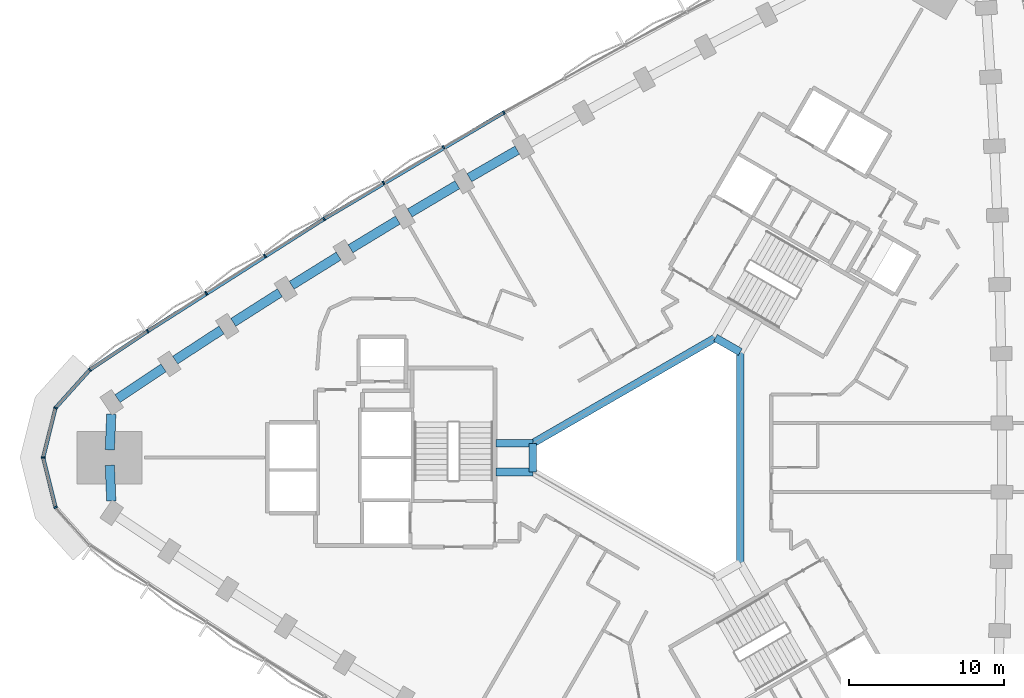
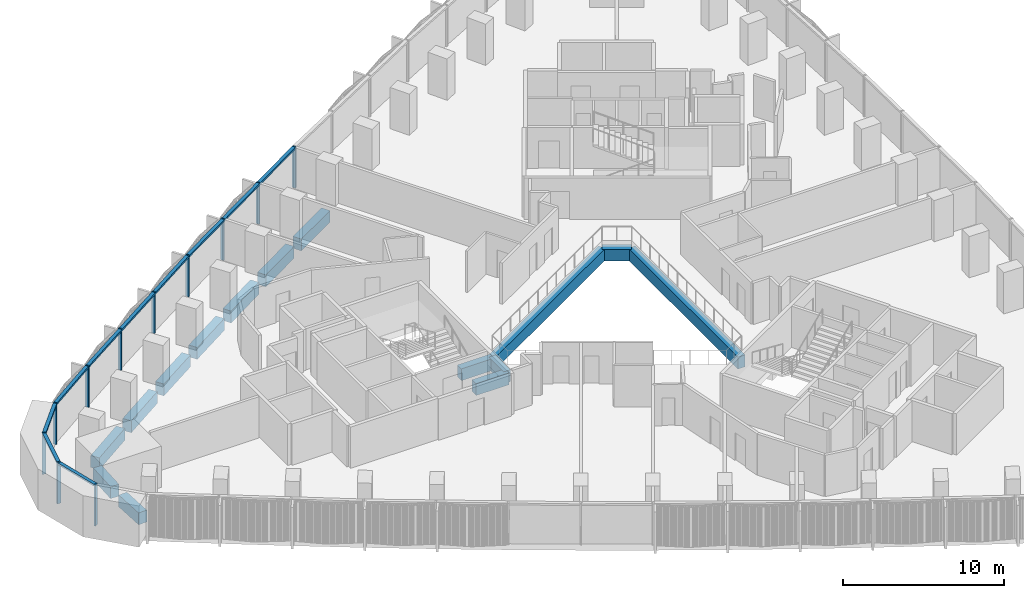
# One storey, part 4 of 15: 17 members, 15 beams, 1 element without a shape of its own.
"""IFC4 building model written with IfcOpenShell, lengths in metres."""

from ifc_helpers import new_model, si_unit, direction, frame, origin, origin_2d, place, context, subcontext, project, spatial, rectangle, extrude, material, material_profile, profile_set, type_object, element, aggregate, save


model = new_model("IFC4")

# Units and contexts
model_context = context("Model", 3, precision=1e-05, world=origin(), true_north=direction((0.0, 1.0)))
body_context = subcontext(model_context, "Body", "Model", "MODEL_VIEW")
ifc_project = project(units=[si_unit("LENGTHUNIT", "METRE"), si_unit("AREAUNIT", "SQUARE_METRE"), si_unit("VOLUMEUNIT", "CUBIC_METRE"), si_unit("PLANEANGLEUNIT", "RADIAN"), si_unit("MASSUNIT", "GRAM", prefix="KILO")], contexts=[model_context])

# Site, building, storey
site_placement = place(None, origin())
site = spatial("IfcSite", under=ifc_project, at=site_placement, CompositionType="ELEMENT")
building_placement = place(site_placement, origin())
building = spatial("IfcBuilding", under=site, at=building_placement, Name="Tamra Quay Hotel Tower", CompositionType="ELEMENT")
storey_placement = place(building_placement, frame((0.0, 0.0, 53.0)))
storey = spatial("IfcBuildingStorey", under=building, at=storey_placement, Name="L11", CompositionType="ELEMENT", Elevation=53.0)

# Beams
ifc_material_1 = material(Name="Concrete M60", Category="concrete")
ifc_material_profile_1 = material_profile(ifc_material_1, rectangle(XDim=0.5, YDim=0.89990234375, at=origin_2d()), Name="ATRIUM EDGE BEAM RC 500x900")
ifc_profile_set_1 = profile_set([ifc_material_profile_1], Name="Concrete M60")
beam_type_1 = type_object("IfcBeamType", Name="ATRIUM EDGE BEAM RC 500x900", PredefinedType="BEAM", material=ifc_profile_set_1)
beam_1_placement = place(storey_placement, frame((5.0, 6.812744140625, -0.925048828125), z_axis=(0.0, -1.0, 0.0), x_axis=(1.0, 0.0, 0.0)))
element("IfcBeam", 1, at=beam_1_placement, inside=storey, type_object=beam_type_1, Name="BM-AB0-L11", PredefinedType="BEAM", context=body_context, shape_type="SweptSolid", body=[
    extrude(rectangle(XDim=0.5, YDim=0.89990234375, at=origin_2d()), origin(), (0.0, 0.0, 1.0), 13.62548828125),
])
beam_2_placement = place(storey_placement, frame((-8.39990234375, -0.923828125, -0.925048828125), z_axis=(0.0, 1.0, 0.0), x_axis=(-1.0, 0.0, 0.0)))
element("IfcBeam", 2, at=beam_2_placement, inside=storey, type_object=beam_type_1, Name="BM-AB3-L11", PredefinedType="BEAM", context=body_context, shape_type="SweptSolid", body=[
    extrude(rectangle(XDim=0.5, YDim=0.89990234375, at=origin_2d()), origin(), (0.0, 0.0, 1.0), 1.84765625),
])
beam_3_placement = place(storey_placement, frame((-8.39990234375, 0.923828125, -0.925048828125), z_axis=(0.866021471679, 0.500006810544, 0.0), x_axis=(-0.500006810544, 0.866021471679, 0.0)))
element("IfcBeam", 3, at=beam_3_placement, inside=storey, type_object=beam_type_1, Name="BM-AB4-L11", PredefinedType="BEAM", context=body_context, shape_type="SweptSolid", body=[
    extrude(rectangle(XDim=0.5, YDim=0.89990234375, at=origin_2d()), origin(), (0.0, 0.0, 1.0), 13.625244140625),
])
beam_4_placement = place(storey_placement, frame((3.39990234375, 7.736572265625, -0.925048828125), z_axis=(0.86602275259, -0.500004591975, 0.0), x_axis=(0.500004591975, 0.86602275259, 0.0)))
element("IfcBeam", 4, at=beam_4_placement, inside=storey, type_object=beam_type_1, Name="BM-AB5-L11", PredefinedType="BEAM", context=body_context, shape_type="SweptSolid", body=[
    extrude(rectangle(XDim=0.5, YDim=0.89990234375, at=origin_2d()), origin(), (0.0, 0.0, 1.0), 1.84765625),
])
ifc_material_profile_2 = material_profile(ifc_material_1, rectangle(XDim=0.5, YDim=0.89990234375, at=origin_2d()), Name="ATRIUM TIE BEAM RC 500x900")
ifc_profile_set_2 = profile_set([ifc_material_profile_2], Name="Concrete M60")
beam_type_2 = type_object("IfcBeamType", Name="ATRIUM TIE BEAM RC 500x900", PredefinedType="BEAM", material=ifc_profile_set_2)
for number, where, z_axis, x_axis, name in (
    (5, (-8.39990234375, -0.923828125, -0.925048828125), (-1.0, 0.0, 0.0), (0.0, -1.0, 0.0), "BM-TIE-3-L11"),
    (6, (-8.39990234375, 0.923828125, -0.925048828125), (-1.0, 0.0, 0.0), (0.0, -1.0, 0.0), "BM-TIE-4-L11"),
):
    element("IfcBeam", number, at=place(storey_placement, frame(where, z_axis=z_axis, x_axis=x_axis)), inside=storey, type_object=beam_type_2, Name=name, PredefinedType="BEAM", context=body_context, shape_type="SweptSolid", body=[
        extrude(rectangle(XDim=0.5, YDim=0.89990234375, at=origin_2d()), origin(), (0.0, 0.0, 1.0), 2.3623046875),
    ])

# Curtain wall, members
ifc_material_2 = material(Name="Aluminium 6063 anodised dark grey", Category="aluminium")
curtain_wall_type = type_object("IfcCurtainWallType", Name="CW2 CURTAIN WALL", PredefinedType="NOTDEFINED", material=ifc_material_2)
curtain_wall_placement = place(storey_placement, origin())
curtain_wall = element("IfcCurtainWall", 7, at=curtain_wall_placement, inside=storey, type_object=curtain_wall_type, Name="CW2 north-west face L11", PredefinedType="NOTDEFINED")
ifc_material_profile_3 = material_profile(ifc_material_2, rectangle(XDim=0.239990234375, YDim=0.10009765625, at=origin_2d()), Name="MULLION 100X240")
ifc_profile_set_3 = profile_set([ifc_material_profile_3], Name="Aluminium 6063 anodised dark grey")
member_type_1 = type_object("IfcMemberType", Name="MULLION CW2 Z1", PredefinedType="MULLION", material=ifc_profile_set_3)
member_1_placement = place(storey_placement, frame((-10.267578125, 22.281494140625, 0.0), z_axis=(0.0, 0.0, 1.0), x_axis=(-0.495300542226, 0.868721688961, 0.0)))
member_1 = element("IfcMember", 8, at=member_1_placement, type_object=member_type_1, Name="CW2 mullion L11.NW.7", PredefinedType="MULLION", context=body_context, shape_type="SweptSolid", body=[
    extrude(rectangle(XDim=0.239990234375, YDim=0.10009765625, at=origin_2d()), origin(), (0.0, 0.0, 1.0), 3.125),
])
member_2_placement = place(storey_placement, frame((-14.162353515625, 20.03271484375, 0.0), z_axis=(0.0, 0.0, 1.0), x_axis=(-0.504684780346, 0.863303696556, 0.0)))
member_2 = element("IfcMember", 9, at=member_2_placement, type_object=member_type_1, Name="CW2 mullion L11.NW.8", PredefinedType="MULLION", context=body_context, shape_type="SweptSolid", body=[
    extrude(rectangle(XDim=0.239990234375, YDim=0.10009765625, at=origin_2d()), origin(), (0.0, 0.0, 1.0), 3.125),
])
member_3_placement = place(storey_placement, frame((-18.03271484375, 17.741943359375, 0.0), z_axis=(0.0, 0.0, 1.0), x_axis=(-0.514004208519, 0.857787662318, 0.0)))
member_3 = element("IfcMember", 10, at=member_3_placement, type_object=member_type_1, Name="CW2 mullion L11.NW.9", PredefinedType="MULLION", context=body_context, shape_type="SweptSolid", body=[
    extrude(rectangle(XDim=0.239990234375, YDim=0.10009765625, at=origin_2d()), origin(), (0.0, 0.0, 1.0), 3.125),
])
member_4_placement = place(storey_placement, frame((-21.879150390625, 15.40869140625, 0.0), z_axis=(0.0, 0.0, 1.0), x_axis=(-0.523257107809, 0.852174864173, 0.0)))
member_4 = element("IfcMember", 11, at=member_4_placement, type_object=member_type_1, Name="CW2 mullion L11.NW.10", PredefinedType="MULLION", context=body_context, shape_type="SweptSolid", body=[
    extrude(rectangle(XDim=0.239990234375, YDim=0.10009765625, at=origin_2d()), origin(), (0.0, 0.0, 1.0), 3.125),
])
member_5_placement = place(storey_placement, frame((-25.698974609375, 13.03466796875, 0.0), z_axis=(0.0, 0.0, 1.0), x_axis=(-0.532446769932, 0.846463488397, 0.0)))
member_5 = element("IfcMember", 12, at=member_5_placement, type_object=member_type_1, Name="CW2 mullion L11.NW.11", PredefinedType="MULLION", context=body_context, shape_type="SweptSolid", body=[
    extrude(rectangle(XDim=0.239990234375, YDim=0.10009765625, at=origin_2d()), origin(), (0.0, 0.0, 1.0), 3.125),
])
member_6_placement = place(storey_placement, frame((-29.49267578125, 10.61962890625, 0.0), z_axis=(0.0, 0.0, 1.0), x_axis=(-0.541560699791, 0.840661649204, 0.0)))
member_6 = element("IfcMember", 13, at=member_6_placement, type_object=member_type_1, Name="CW2 mullion L11.NW.12", PredefinedType="MULLION", context=body_context, shape_type="SweptSolid", body=[
    extrude(rectangle(XDim=0.239990234375, YDim=0.10009765625, at=origin_2d()), origin(), (0.0, 0.0, 1.0), 3.125),
])
member_7_placement = place(storey_placement, frame((-33.261474609375, 8.162841796875, 0.0), z_axis=(0.0, 0.0, 1.0), x_axis=(-0.550591210923, 0.834775010679, 0.0)))
member_7 = element("IfcMember", 14, at=member_7_placement, type_object=member_type_1, Name="CW2 mullion L11.NW.13", PredefinedType="MULLION", context=body_context, shape_type="SweptSolid", body=[
    extrude(rectangle(XDim=0.239990234375, YDim=0.10009765625, at=origin_2d()), origin(), (0.0, 0.0, 1.0), 3.125),
])
member_8_placement = place(storey_placement, frame((-37.001708984375, 5.6669921875, 0.0), z_axis=(0.0, 0.0, 1.0), x_axis=(-0.654196739281, 0.756324418695, 0.0)))
member_8 = element("IfcMember", 15, at=member_8_placement, type_object=member_type_1, Name="CW2 mullion L11.NW.14", PredefinedType="MULLION", context=body_context, shape_type="SweptSolid", body=[
    extrude(rectangle(XDim=0.239990234375, YDim=0.10009765625, at=origin_2d()), origin(), (0.0, 0.0, 1.0), 3.125),
])
member_9_placement = place(storey_placement, frame((-39.214599609375, 3.209228515625, 0.0), z_axis=(0.0, 0.0, 1.0), x_axis=(-0.882955345235, 0.469456982396, 0.0)))
member_9 = element("IfcMember", 16, at=member_9_placement, type_object=member_type_1, Name="CW2 mullion L11.NW.15", PredefinedType="MULLION", context=body_context, shape_type="SweptSolid", body=[
    extrude(rectangle(XDim=0.239990234375, YDim=0.10009765625, at=origin_2d()), origin(), (0.0, 0.0, 1.0), 3.125),
])
member_10_placement = place(storey_placement, frame((-40.0146484375, 0.0, 0.0), z_axis=(0.0, 0.0, 1.0), x_axis=(-1.0, 0.0, 0.0)))
member_10 = element("IfcMember", 17, at=member_10_placement, type_object=member_type_1, Name="CW2 mullion L11.NW.16", PredefinedType="MULLION", context=body_context, shape_type="SweptSolid", body=[
    extrude(rectangle(XDim=0.239990234375, YDim=0.10009765625, at=origin_2d()), origin(), (0.0, 0.0, 1.0), 3.125),
])
member_11_placement = place(storey_placement, frame((-39.214599609375, -3.209228515625, 0.0), z_axis=(0.0, 0.0, 1.0), x_axis=(-0.882955345235, -0.469456982396, 0.0)))
member_11 = element("IfcMember", 18, at=member_11_placement, type_object=member_type_1, Name="CW2 mullion L11.NW.17", PredefinedType="MULLION", context=body_context, shape_type="SweptSolid", body=[
    extrude(rectangle(XDim=0.239990234375, YDim=0.10009765625, at=origin_2d()), origin(), (0.0, 0.0, 1.0), 3.125),
])

# Beams
ifc_material_profile_4 = material_profile(ifc_material_1, rectangle(XDim=0.60009765625, YDim=0.89990234375, at=origin_2d()), Name="SPANDREL BEAM RC 600x900")
ifc_profile_set_4 = profile_set([ifc_material_profile_4], Name="Concrete M60")
beam_type_3 = type_object("IfcBeamType", Name="SPANDREL BEAM RC 600x900", PredefinedType="SPANDREL", material=ifc_profile_set_4)
beam_5_placement = place(storey_placement, frame((-9.401123046875, 19.853759765625, -0.925048828125), z_axis=(-0.866017069707, -0.500014434768, 0.0), x_axis=(0.500014434768, -0.866017069707, 0.0)))
element("IfcBeam", 19, at=beam_5_placement, inside=storey, type_object=beam_type_3, Name="BM-SP1-021-L11", PredefinedType="SPANDREL", context=body_context, shape_type="SweptSolid", body=[
    extrude(rectangle(XDim=0.60009765625, YDim=0.89990234375, at=origin_2d()), origin(), (0.0, 0.0, 1.0), 3.57080078125),
])
beam_6_placement = place(storey_placement, frame((-13.270263671875, 17.6142578125, -0.925048828125), z_axis=(-0.860524689034, -0.509408735264, 0.0), x_axis=(0.509408735264, -0.860524689034, 0.0)))
element("IfcBeam", 20, at=beam_6_placement, inside=storey, type_object=beam_type_3, Name="BM-SP1-022-L11", PredefinedType="SPANDREL", context=body_context, shape_type="SweptSolid", body=[
    extrude(rectangle(XDim=0.60009765625, YDim=0.89990234375, at=origin_2d()), origin(), (0.0, 0.0, 1.0), 3.570556640625),
])
beam_7_placement = place(storey_placement, frame((-17.114990234375, 15.3330078125, -0.925048828125), z_axis=(-0.854966252085, -0.518683629775, 0.0), x_axis=(0.518683629775, -0.854966252085, 0.0)))
element("IfcBeam", 21, at=beam_7_placement, inside=storey, type_object=beam_type_3, Name="BM-SP1-023-L11", PredefinedType="SPANDREL", context=body_context, shape_type="SweptSolid", body=[
    extrude(rectangle(XDim=0.60009765625, YDim=0.89990234375, at=origin_2d()), origin(), (0.0, 0.0, 1.0), 3.56982421875),
])
beam_8_placement = place(storey_placement, frame((-20.93408203125, 13.010498046875, -0.925048828125), z_axis=(-0.849320953317, -0.527876802158, 0.0), x_axis=(0.527876802158, -0.849320953317, 0.0)))
element("IfcBeam", 22, at=beam_8_placement, inside=storey, type_object=beam_type_3, Name="BM-SP1-024-L11", PredefinedType="SPANDREL", context=body_context, shape_type="SweptSolid", body=[
    extrude(rectangle(XDim=0.60009765625, YDim=0.89990234375, at=origin_2d()), origin(), (0.0, 0.0, 1.0), 3.570556640625),
])
beam_9_placement = place(storey_placement, frame((-24.728515625, 10.646484375, -0.925048828125), z_axis=(-0.843593906333, -0.53698167678, 0.0), x_axis=(0.53698167678, -0.843593906333, 0.0)))
element("IfcBeam", 23, at=beam_9_placement, inside=storey, type_object=beam_type_3, Name="BM-SP1-025-L11", PredefinedType="SPANDREL", context=body_context, shape_type="SweptSolid", body=[
    extrude(rectangle(XDim=0.60009765625, YDim=0.89990234375, at=origin_2d()), origin(), (0.0, 0.0, 1.0), 3.5703125),
])
beam_10_placement = place(storey_placement, frame((-28.4970703125, 8.24169921875, -0.925048828125), z_axis=(-0.837739819239, -0.546069588296, 0.0), x_axis=(0.546069588296, -0.837739819239, 0.0)))
element("IfcBeam", 24, at=beam_10_placement, inside=storey, type_object=beam_type_3, Name="BM-SP1-026-L11", PredefinedType="SPANDREL", context=body_context, shape_type="SweptSolid", body=[
    extrude(rectangle(XDim=0.60009765625, YDim=0.89990234375, at=origin_2d()), origin(), (0.0, 0.0, 1.0), 3.570068359375),
])
beam_11_placement = place(storey_placement, frame((-32.239013671875, 5.796630859375, -0.925048828125), z_axis=(-0.831818807601, -0.555047269448, 0.0), x_axis=(0.555047269448, -0.831818807601, 0.0)))
element("IfcBeam", 25, at=beam_11_placement, inside=storey, type_object=beam_type_3, Name="BM-SP1-027-L11", PredefinedType="SPANDREL", context=body_context, shape_type="SweptSolid", body=[
    extrude(rectangle(XDim=0.60009765625, YDim=0.89990234375, at=origin_2d()), origin(), (0.0, 0.0, 1.0), 3.57080078125),
])
for number, where, z_axis, x_axis, name in (
    (26, (-35.614501953125, 2.805908203125, -0.925048828125), (-0.040711272802, -0.999170952474, 0.0), (0.999170952474, -0.040711272802, 0.0), "BM-SP1-028-L11"),
    (27, (-35.70849609375, -0.4990234375, -0.925048828125), (0.040711272802, -0.999170952474, 0.0), (0.999170952474, 0.040711272802, 0.0), "BM-SP1-029-L11"),
):
    element("IfcBeam", number, at=place(storey_placement, frame(where, z_axis=z_axis, x_axis=x_axis)), inside=storey, type_object=beam_type_3, Name=name, PredefinedType="SPANDREL", context=body_context, shape_type="SweptSolid", body=[
        extrude(rectangle(XDim=0.60009765625, YDim=0.89990234375, at=origin_2d()), origin(), (0.0, 0.0, 1.0), 2.308837890625),
    ])

# Member
ifc_material_profile_5 = material_profile(ifc_material_2, rectangle(XDim=0.239990234375, YDim=0.139892578125, at=origin_2d()), Name="TRANSOM 240X140")
ifc_profile_set_5 = profile_set([ifc_material_profile_5], Name="Aluminium 6063 anodised dark grey")
member_type_2 = type_object("IfcMemberType", Name="TRANSOM CW2 Z1", PredefinedType="USERDEFINED", material=ifc_profile_set_5)
member_12_placement = place(storey_placement, frame((-10.31103515625, 22.25634765625, 3.054931640625), z_axis=(-0.860556136509, -0.509355608506, 0.0), x_axis=(0.509355608506, -0.860556136509, 0.0)))
member_12 = element("IfcMember", 28, at=member_12_placement, type_object=member_type_2, Name="CW2 transom L11.NW.7", ObjectType="TRANSOM", PredefinedType="USERDEFINED", context=body_context, shape_type="SweptSolid", body=[
    extrude(rectangle(XDim=0.239990234375, YDim=0.139892578125, at=origin_2d()), origin(), (0.0, 0.0, 1.0), 13.39306640625),
])

member_13_placement = place(storey_placement, frame((-21.921630859375, 15.38232421875, 3.054931640625), z_axis=(-0.843573654677, -0.537013490646, 0.0), x_axis=(0.537013490646, -0.843573654677, 0.0)))
member_13 = element("IfcMember", 29, at=member_13_placement, type_object=member_type_2, Name="CW2 transom L11.NW.10", ObjectType="TRANSOM", PredefinedType="USERDEFINED", context=body_context, shape_type="SweptSolid", body=[
    extrude(rectangle(XDim=0.239990234375, YDim=0.139892578125, at=origin_2d()), origin(), (0.0, 0.0, 1.0), 13.392822265625),
])

member_14_placement = place(storey_placement, frame((-33.302978515625, 8.135009765625, 3.054931640625), z_axis=(-0.831819549422, -0.555046157719, 0.0), x_axis=(0.555046157719, -0.831819549422, 0.0)))
member_14 = element("IfcMember", 30, at=member_14_placement, type_object=member_type_2, Name="CW2 transom L11.NW.13", ObjectType="TRANSOM", PredefinedType="USERDEFINED", context=body_context, shape_type="SweptSolid", body=[
    extrude(rectangle(XDim=0.239990234375, YDim=0.139892578125, at=origin_2d()), origin(), (0.0, 0.0, 1.0), 4.396484375),
])

member_15_placement = place(storey_placement, frame((-37.03515625, 5.6298828125, 3.054931640625), z_axis=(-0.669103504087, -0.743169227577, 0.0), x_axis=(0.743169227577, -0.669103504087, 0.0)))
member_15 = element("IfcMember", 31, at=member_15_placement, type_object=member_type_2, Name="CW2 transom L11.NW.14", ObjectType="TRANSOM", PredefinedType="USERDEFINED", context=body_context, shape_type="SweptSolid", body=[
    extrude(rectangle(XDim=0.239990234375, YDim=0.139892578125, at=origin_2d()), origin(), (0.0, 0.0, 1.0), 3.207275390625),
])

member_16_placement = place(storey_placement, frame((-39.226806640625, 3.16064453125, 3.054931640625), z_axis=(-0.241908705512, -0.970299014839, 0.0), x_axis=(0.970299014839, -0.241908705512, 0.0)))
member_16 = element("IfcMember", 32, at=member_16_placement, type_object=member_type_2, Name="CW2 transom L11.NW.15", ObjectType="TRANSOM", PredefinedType="USERDEFINED", context=body_context, shape_type="SweptSolid", body=[
    extrude(rectangle(XDim=0.239990234375, YDim=0.139892578125, at=origin_2d()), origin(), (0.0, 0.0, 1.0), 3.207275390625),
])

member_17_placement = place(storey_placement, frame((-40.002685546875, -0.048583984375, 3.054931640625), z_axis=(0.241908705512, -0.970299014839, 0.0), x_axis=(0.970299014839, 0.241908705512, 0.0)))
member_17 = element("IfcMember", 33, at=member_17_placement, type_object=member_type_2, Name="CW2 transom L11.NW.16", ObjectType="TRANSOM", PredefinedType="USERDEFINED", context=body_context, shape_type="SweptSolid", body=[
    extrude(rectangle(XDim=0.239990234375, YDim=0.139892578125, at=origin_2d()), origin(), (0.0, 0.0, 1.0), 3.207275390625),
])

aggregate(curtain_wall, [member_1, member_12, member_2, member_3, member_4, member_13, member_5, member_6, member_7, member_14, member_8, member_15, member_9, member_16, member_10, member_17, member_11])

save(model, "model.ifc")
